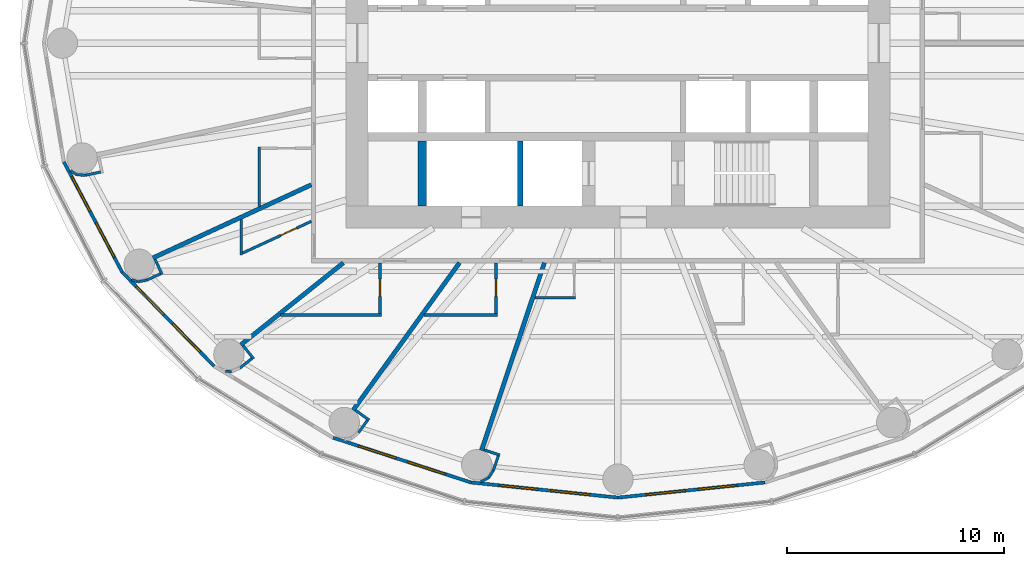
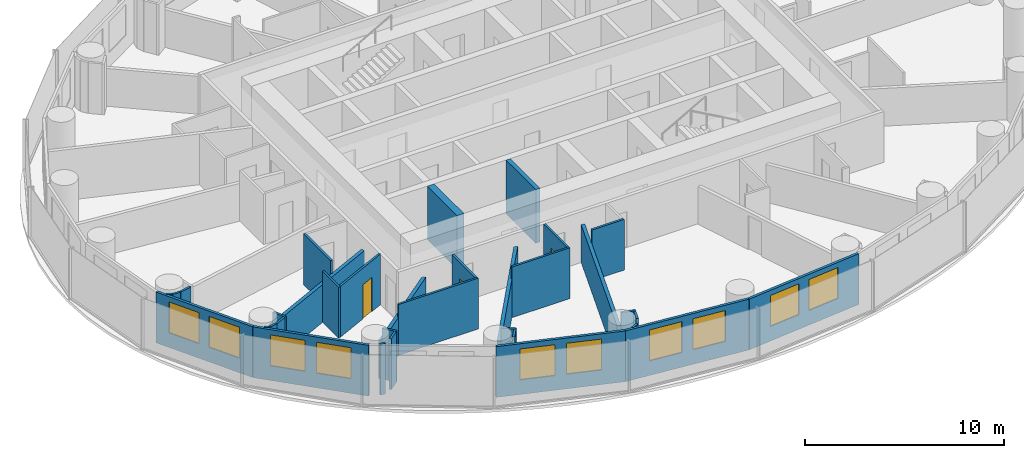
# One storey, part 6 of 13: 35 walls, 10 windows, 3 doors, 13 openings.
"""IFC4 building model written with IfcOpenShell, lengths in metres."""

from ifc_helpers import new_model, si_unit, direction, frame, frame_2d, origin, place, context, subcontext, project, spatial, rectangle, extrude, material, layer, layer_set, type_object, element, fill, save


model = new_model("IFC4")

# Units and contexts
model_context = context("Model", 3, precision=1e-05, world=origin(), true_north=direction((0.0, 1.0)))
body_context = subcontext(model_context, "Body", "Model", "MODEL_VIEW")
ifc_project = project(units=[si_unit("LENGTHUNIT", "METRE"), si_unit("AREAUNIT", "SQUARE_METRE"), si_unit("VOLUMEUNIT", "CUBIC_METRE"), si_unit("PLANEANGLEUNIT", "RADIAN"), si_unit("MASSUNIT", "GRAM", prefix="KILO")], contexts=[model_context])

# Site, building, storey
site_placement = place(None, origin())
site = spatial("IfcSite", under=ifc_project, at=site_placement, CompositionType="ELEMENT")
building_placement = place(site_placement, origin())
building = spatial("IfcBuilding", under=site, at=building_placement, Name="Hankou Lantern Tower", CompositionType="ELEMENT")
storey_placement = place(building_placement, frame((0.0, 0.0, 80.39990234375)))
storey = spatial("IfcBuildingStorey", under=building, at=storey_placement, Name="L20", CompositionType="ELEMENT", Elevation=80.39990234375)

# Wall
ifc_material_1 = material(Name="Concrete C60", Category="concrete")
ifc_layer_1 = layer(ifc_material_1, 0.39990234375)
ifc_layer_set_1 = layer_set([ifc_layer_1], Name="Concrete C60")
wall_type_1 = type_object("IfcWallType", Name="CW4 CORE CROSS WALL 400", PredefinedType="SHEAR", material=ifc_layer_set_1)
wall_1_placement = place(storey_placement, frame((-9.0, -7.5, 0.0), z_axis=(0.0, 0.0, 1.0), x_axis=(0.0, 1.0, 0.0)))
element("IfcWall", 1, at=wall_1_placement, inside=storey, type_object=wall_type_1, Name="Core strip wall L20", PredefinedType="SHEAR", context=body_context, shape_type="SweptSolid", body=[
    extrude(rectangle(XDim=3.0, YDim=0.39990234375, at=frame_2d((1.5, 0.0))), origin(), (0.0, 0.0, 1.0), 3.300048828125),
])

# Wall, openings, windows
ifc_material_2 = material(Name="Aluminium spandrel panel on steel studs", Category="steel")
ifc_layer_2 = layer(ifc_material_2, 0.14990234375)
ifc_layer_set_2 = layer_set([ifc_layer_2], Name="Aluminium spandrel panel on steel studs")
wall_type_2 = type_object("IfcWallType", Name="EW1 INNER SKIN WALL 150", PredefinedType="ELEMENTEDWALL", material=ifc_layer_set_2)
wall_2_placement = place(storey_placement, frame((-25.482421875, -5.46240234375, 0.0), z_axis=(0.0, 0.0, 1.0), x_axis=(0.467296867008, -0.884100468321, 0.0)))
wall_2 = element("IfcWall", 2, at=wall_2_placement, inside=storey, type_object=wall_type_2, Name="Inner skin R14-R15 L20", PredefinedType="ELEMENTEDWALL", context=body_context, shape_type="SweptSolid", body=[
    extrude(rectangle(XDim=5.734375, YDim=0.14990234375, at=frame_2d((2.8671875, 0.0))), origin(), (0.0, 0.0, 1.0), 3.1201171875),
])
opening_1_placement = place(wall_2_placement, frame((0.76708984375, 0.0, 0.89990234375)))
opening_1 = element("IfcOpeningElement", 3, at=opening_1_placement, cuts=wall_2, Name="Opening W1", PredefinedType="OPENING", context=body_context, shape_type="SweptSolid", body=[
    extrude(rectangle(XDim=1.800048828125, YDim=1.89990234375, at=frame_2d((0.89990234375, 0.949951171875))), frame((0.0, 0.0849609375, 0.0), z_axis=(0.0, -1.0, 0.0), x_axis=(1.0, 0.0, 0.0)), (0.0, 0.0, 1.0), 0.169921875),
])
opening_2_placement = place(wall_2_placement, frame((3.167236328125, 0.0, 0.89990234375)))
opening_2 = element("IfcOpeningElement", 4, at=opening_2_placement, cuts=wall_2, Name="Opening W1", PredefinedType="OPENING", context=body_context, shape_type="SweptSolid", body=[
    extrude(rectangle(XDim=1.800048828125, YDim=1.89990234375, at=frame_2d((0.89990234375, 0.949951171875))), frame((0.0, 0.0849609375, 0.0), z_axis=(0.0, -1.0, 0.0), x_axis=(1.0, 0.0, 0.0)), (0.0, 0.0, 1.0), 0.169921875),
])
ifc_material_3 = material(Name="Aluminium framed double glazed window", Category="aluminium")
window_type = type_object("IfcWindowType", Name="W1 GUEST ROOM WINDOW 1800X1900", PartitioningType="DOUBLE_PANEL_VERTICAL", PredefinedType="WINDOW", material=ifc_material_3)
window_1_placement = place(opening_1_placement, origin())
window_1 = element("IfcWindow", 5, at=window_1_placement, inside=storey, type_object=window_type, Name="Window R14.1 L20", OverallHeight=1.89990234375, OverallWidth=1.800048828125, PartitioningType="SINGLE_PANEL", PredefinedType="WINDOW", context=body_context, shape_type="SweptSolid", body=[
    extrude(rectangle(XDim=1.800048828125, YDim=1.89990234375, at=frame_2d((0.89990234375, 0.949951171875))), frame((0.0, 0.030029296875, 0.0), z_axis=(0.0, -1.0, 0.0), x_axis=(1.0, 0.0, 0.0)), (0.0, 0.0, 1.0), 0.06005859375),
])
fill(opening_1, window_1)
window_2_placement = place(opening_2_placement, origin())
window_2 = element("IfcWindow", 6, at=window_2_placement, inside=storey, type_object=window_type, Name="Window R14.2 L20", OverallHeight=1.89990234375, OverallWidth=1.800048828125, PartitioningType="SINGLE_PANEL", PredefinedType="WINDOW", context=body_context, shape_type="SweptSolid", body=[
    extrude(rectangle(XDim=1.800048828125, YDim=1.89990234375, at=frame_2d((0.89990234375, 0.949951171875))), frame((0.0, 0.030029296875, 0.0), z_axis=(0.0, -1.0, 0.0), x_axis=(1.0, 0.0, 0.0)), (0.0, 0.0, 1.0), 0.06005859375),
])
fill(opening_2, window_2)

wall_3_placement = place(storey_placement, frame((-22.802734375, -10.5322265625, 0.0), z_axis=(0.0, 0.0, 1.0), x_axis=(0.699602905915, -0.714531856557, 0.0)))
wall_3 = element("IfcWall", 7, at=wall_3_placement, inside=storey, type_object=wall_type_2, Name="Inner skin R15-R16 L20", PredefinedType="ELEMENTEDWALL", context=body_context, shape_type="SweptSolid", body=[
    extrude(rectangle(XDim=6.05078125, YDim=0.14990234375, at=frame_2d((3.025390625, 0.0))), origin(), (0.0, 0.0, 1.0), 3.1201171875),
])
opening_3_placement = place(wall_3_placement, frame((0.925537109375, 0.0, 0.89990234375)))
opening_3 = element("IfcOpeningElement", 8, at=opening_3_placement, cuts=wall_3, Name="Opening W1", PredefinedType="OPENING", context=body_context, shape_type="SweptSolid", body=[
    extrude(rectangle(XDim=1.800048828125, YDim=1.89990234375, at=frame_2d((0.89990234375, 0.949951171875))), frame((0.0, 0.0849609375, 0.0), z_axis=(0.0, -1.0, 0.0), x_axis=(1.0, 0.0, 0.0)), (0.0, 0.0, 1.0), 0.169921875),
])
opening_4_placement = place(wall_3_placement, frame((3.325439453125, 0.0, 0.89990234375)))
opening_4 = element("IfcOpeningElement", 9, at=opening_4_placement, cuts=wall_3, Name="Opening W1", PredefinedType="OPENING", context=body_context, shape_type="SweptSolid", body=[
    extrude(rectangle(XDim=1.800048828125, YDim=1.89990234375, at=frame_2d((0.89990234375, 0.949951171875))), frame((0.0, 0.0849609375, 0.0), z_axis=(0.0, -1.0, 0.0), x_axis=(1.0, 0.0, 0.0)), (0.0, 0.0, 1.0), 0.169921875),
])
window_3_placement = place(opening_3_placement, origin())
window_3 = element("IfcWindow", 10, at=window_3_placement, inside=storey, type_object=window_type, Name="Window R15.1 L20", OverallHeight=1.89990234375, OverallWidth=1.800048828125, PartitioningType="SINGLE_PANEL", PredefinedType="WINDOW", context=body_context, shape_type="SweptSolid", body=[
    extrude(rectangle(XDim=1.800048828125, YDim=1.89990234375, at=frame_2d((0.89990234375, 0.949951171875))), frame((0.0, 0.030029296875, 0.0), z_axis=(0.0, -1.0, 0.0), x_axis=(1.0, 0.0, 0.0)), (0.0, 0.0, 1.0), 0.06005859375),
])
fill(opening_3, window_3)
window_4_placement = place(opening_4_placement, origin())
window_4 = element("IfcWindow", 11, at=window_4_placement, inside=storey, type_object=window_type, Name="Window R15.2 L20", OverallHeight=1.89990234375, OverallWidth=1.800048828125, PartitioningType="SINGLE_PANEL", PredefinedType="WINDOW", context=body_context, shape_type="SweptSolid", body=[
    extrude(rectangle(XDim=1.800048828125, YDim=1.89990234375, at=frame_2d((0.89990234375, 0.949951171875))), frame((0.0, 0.030029296875, 0.0), z_axis=(0.0, -1.0, 0.0), x_axis=(1.0, 0.0, 0.0)), (0.0, 0.0, 1.0), 0.06005859375),
])
fill(opening_4, window_4)

wall_4_placement = place(storey_placement, frame((-13.096435546875, -18.14697265625, 0.0), z_axis=(0.0, 0.0, 1.0), x_axis=(0.951137534625, -0.308767534285, 0.0)))
wall_4 = element("IfcWall", 12, at=wall_4_placement, inside=storey, type_object=wall_type_2, Name="Inner skin R17-R18 L20", PredefinedType="ELEMENTEDWALL", context=body_context, shape_type="SweptSolid", body=[
    extrude(rectangle(XDim=6.6552734375, YDim=0.14990234375, at=frame_2d((3.32763671875, 0.0))), origin(), (0.0, 0.0, 1.0), 3.1201171875),
])
opening_5_placement = place(wall_4_placement, frame((1.2275390625, 0.0, 0.89990234375)))
opening_5 = element("IfcOpeningElement", 13, at=opening_5_placement, cuts=wall_4, Name="Opening W1", PredefinedType="OPENING", context=body_context, shape_type="SweptSolid", body=[
    extrude(rectangle(XDim=1.800048828125, YDim=1.89990234375, at=frame_2d((0.89990234375, 0.949951171875))), frame((0.0, 0.0849609375, 0.0), z_axis=(0.0, -1.0, 0.0), x_axis=(1.0, 0.0, 0.0)), (0.0, 0.0, 1.0), 0.169921875),
])
opening_6_placement = place(wall_4_placement, frame((3.627685546875, 0.0, 0.89990234375)))
opening_6 = element("IfcOpeningElement", 14, at=opening_6_placement, cuts=wall_4, Name="Opening W1", PredefinedType="OPENING", context=body_context, shape_type="SweptSolid", body=[
    extrude(rectangle(XDim=1.800048828125, YDim=1.89990234375, at=frame_2d((0.89990234375, 0.949951171875))), frame((0.0, 0.0849609375, 0.0), z_axis=(0.0, -1.0, 0.0), x_axis=(1.0, 0.0, 0.0)), (0.0, 0.0, 1.0), 0.169921875),
])
window_5_placement = place(opening_5_placement, origin())
window_5 = element("IfcWindow", 15, at=window_5_placement, inside=storey, type_object=window_type, Name="Window R17.1 L20", OverallHeight=1.89990234375, OverallWidth=1.800048828125, PartitioningType="SINGLE_PANEL", PredefinedType="WINDOW", context=body_context, shape_type="SweptSolid", body=[
    extrude(rectangle(XDim=1.800048828125, YDim=1.89990234375, at=frame_2d((0.89990234375, 0.949951171875))), frame((0.0, 0.030029296875, 0.0), z_axis=(0.0, -1.0, 0.0), x_axis=(1.0, 0.0, 0.0)), (0.0, 0.0, 1.0), 0.06005859375),
])
fill(opening_5, window_5)
window_6_placement = place(opening_6_placement, origin())
window_6 = element("IfcWindow", 16, at=window_6_placement, inside=storey, type_object=window_type, Name="Window R17.2 L20", OverallHeight=1.89990234375, OverallWidth=1.800048828125, PartitioningType="SINGLE_PANEL", PredefinedType="WINDOW", context=body_context, shape_type="SweptSolid", body=[
    extrude(rectangle(XDim=1.800048828125, YDim=1.89990234375, at=frame_2d((0.89990234375, 0.949951171875))), frame((0.0, 0.030029296875, 0.0), z_axis=(0.0, -1.0, 0.0), x_axis=(1.0, 0.0, 0.0)), (0.0, 0.0, 1.0), 0.06005859375),
])
fill(opening_6, window_6)

wall_5_placement = place(storey_placement, frame((-6.766357421875, -20.201904296875, 0.0), z_axis=(0.0, 0.0, 1.0), x_axis=(0.994721394369, -0.102612609291, 0.0)))
wall_5 = element("IfcWall", 17, at=wall_5_placement, inside=storey, type_object=wall_type_2, Name="Inner skin R18-R19 L20", PredefinedType="ELEMENTEDWALL", context=body_context, shape_type="SweptSolid", body=[
    extrude(rectangle(XDim=6.80224609375, YDim=0.14990234375, at=frame_2d((3.401123046875, 0.0))), origin(), (0.0, 0.0, 1.0), 3.1201171875),
])
opening_7_placement = place(wall_5_placement, frame((1.301025390625, 0.0, 0.89990234375)))
opening_7 = element("IfcOpeningElement", 18, at=opening_7_placement, cuts=wall_5, Name="Opening W1", PredefinedType="OPENING", context=body_context, shape_type="SweptSolid", body=[
    extrude(rectangle(XDim=1.800048828125, YDim=1.89990234375, at=frame_2d((0.89990234375, 0.949951171875))), frame((0.0, 0.0849609375, 0.0), z_axis=(0.0, -1.0, 0.0), x_axis=(1.0, 0.0, 0.0)), (0.0, 0.0, 1.0), 0.169921875),
])
opening_8_placement = place(wall_5_placement, frame((3.701171875, 0.0, 0.89990234375)))
opening_8 = element("IfcOpeningElement", 19, at=opening_8_placement, cuts=wall_5, Name="Opening W1", PredefinedType="OPENING", context=body_context, shape_type="SweptSolid", body=[
    extrude(rectangle(XDim=1.800048828125, YDim=1.89990234375, at=frame_2d((0.89990234375, 0.949951171875))), frame((0.0, 0.0849609375, 0.0), z_axis=(0.0, -1.0, 0.0), x_axis=(1.0, 0.0, 0.0)), (0.0, 0.0, 1.0), 0.169921875),
])
window_7_placement = place(opening_7_placement, origin())
window_7 = element("IfcWindow", 20, at=window_7_placement, inside=storey, type_object=window_type, Name="Window R18.1 L20", OverallHeight=1.89990234375, OverallWidth=1.800048828125, PartitioningType="SINGLE_PANEL", PredefinedType="WINDOW", context=body_context, shape_type="SweptSolid", body=[
    extrude(rectangle(XDim=1.800048828125, YDim=1.89990234375, at=frame_2d((0.89990234375, 0.949951171875))), frame((0.0, 0.030029296875, 0.0), z_axis=(0.0, -1.0, 0.0), x_axis=(1.0, 0.0, 0.0)), (0.0, 0.0, 1.0), 0.06005859375),
])
fill(opening_7, window_7)
window_8_placement = place(opening_8_placement, origin())
window_8 = element("IfcWindow", 21, at=window_8_placement, inside=storey, type_object=window_type, Name="Window R18.2 L20", OverallHeight=1.89990234375, OverallWidth=1.800048828125, PartitioningType="SINGLE_PANEL", PredefinedType="WINDOW", context=body_context, shape_type="SweptSolid", body=[
    extrude(rectangle(XDim=1.800048828125, YDim=1.89990234375, at=frame_2d((0.89990234375, 0.949951171875))), frame((0.0, 0.030029296875, 0.0), z_axis=(0.0, -1.0, 0.0), x_axis=(1.0, 0.0, 0.0)), (0.0, 0.0, 1.0), 0.06005859375),
])
fill(opening_8, window_8)

wall_6_placement = place(storey_placement, frame((0.0, -20.89990234375, 0.0), z_axis=(0.0, 0.0, 1.0), x_axis=(0.994721394369, 0.102612609291, 0.0)))
wall_6 = element("IfcWall", 22, at=wall_6_placement, inside=storey, type_object=wall_type_2, Name="Inner skin R19-R20 L20", PredefinedType="ELEMENTEDWALL", context=body_context, shape_type="SweptSolid", body=[
    extrude(rectangle(XDim=6.80224609375, YDim=0.14990234375, at=frame_2d((3.401123046875, 0.0))), origin(), (0.0, 0.0, 1.0), 3.1201171875),
])
opening_9_placement = place(wall_6_placement, frame((1.301025390625, 0.0, 0.89990234375)))
opening_9 = element("IfcOpeningElement", 23, at=opening_9_placement, cuts=wall_6, Name="Opening W1", PredefinedType="OPENING", context=body_context, shape_type="SweptSolid", body=[
    extrude(rectangle(XDim=1.800048828125, YDim=1.89990234375, at=frame_2d((0.89990234375, 0.949951171875))), frame((0.0, 0.0849609375, 0.0), z_axis=(0.0, -1.0, 0.0), x_axis=(1.0, 0.0, 0.0)), (0.0, 0.0, 1.0), 0.169921875),
])
opening_10_placement = place(wall_6_placement, frame((3.701171875, 0.0, 0.89990234375)))
opening_10 = element("IfcOpeningElement", 24, at=opening_10_placement, cuts=wall_6, Name="Opening W1", PredefinedType="OPENING", context=body_context, shape_type="SweptSolid", body=[
    extrude(rectangle(XDim=1.800048828125, YDim=1.89990234375, at=frame_2d((0.89990234375, 0.949951171875))), frame((0.0, 0.0849609375, 0.0), z_axis=(0.0, -1.0, 0.0), x_axis=(1.0, 0.0, 0.0)), (0.0, 0.0, 1.0), 0.169921875),
])
window_9_placement = place(opening_9_placement, origin())
window_9 = element("IfcWindow", 25, at=window_9_placement, inside=storey, type_object=window_type, Name="Window R19.1 L20", OverallHeight=1.89990234375, OverallWidth=1.800048828125, PartitioningType="SINGLE_PANEL", PredefinedType="WINDOW", context=body_context, shape_type="SweptSolid", body=[
    extrude(rectangle(XDim=1.800048828125, YDim=1.89990234375, at=frame_2d((0.89990234375, 0.949951171875))), frame((0.0, 0.030029296875, 0.0), z_axis=(0.0, -1.0, 0.0), x_axis=(1.0, 0.0, 0.0)), (0.0, 0.0, 1.0), 0.06005859375),
])
fill(opening_9, window_9)
window_10_placement = place(opening_10_placement, origin())
window_10 = element("IfcWindow", 26, at=window_10_placement, inside=storey, type_object=window_type, Name="Window R19.2 L20", OverallHeight=1.89990234375, OverallWidth=1.800048828125, PartitioningType="SINGLE_PANEL", PredefinedType="WINDOW", context=body_context, shape_type="SweptSolid", body=[
    extrude(rectangle(XDim=1.800048828125, YDim=1.89990234375, at=frame_2d((0.89990234375, 0.949951171875))), frame((0.0, 0.030029296875, 0.0), z_axis=(0.0, -1.0, 0.0), x_axis=(1.0, 0.0, 0.0)), (0.0, 0.0, 1.0), 0.06005859375),
])
fill(opening_10, window_10)

# Walls
ifc_material_4 = material(Name="Masonry lightweight concrete block", Category="masonry")
ifc_layer_3 = layer(ifc_material_4, 0.199951171875)
ifc_layer_set_3 = layer_set([ifc_layer_3], Name="Masonry lightweight concrete block")
wall_type_3 = type_object("IfcWallType", Name="IW1 GUEST ROOM PARTY WALL 200", PredefinedType="PARTITIONING", material=ifc_layer_set_3)
wall_7_placement = place(storey_placement, frame((-14.10009765625, -6.512451171875, 0.0), z_axis=(0.0, 0.0, 1.0), x_axis=(-0.907832871056, -0.419332181247, 0.0)))
element("IfcWall", 27, at=wall_7_placement, inside=storey, type_object=wall_type_3, Name="Party wall R15", PredefinedType="PARTITIONING", context=body_context, shape_type="SweptSolid", body=[
    extrude(rectangle(XDim=8.02294921875, YDim=0.199951171875, at=frame_2d((4.011474609375, 0.0))), origin(), (0.0, 0.0, 1.0), 2.320068359375),
])
wall_8_placement = place(storey_placement, frame((-12.625, -10.10009765625, 0.0), z_axis=(0.0, 0.0, 1.0), x_axis=(-0.780892451574, -0.624665493744, 0.0)))
element("IfcWall", 28, at=wall_8_placement, inside=storey, type_object=wall_type_3, Name="Party wall R16", PredefinedType="PARTITIONING", context=body_context, shape_type="SweptSolid", body=[
    extrude(rectangle(XDim=6.044677734375, YDim=0.199951171875, at=frame_2d((3.0224609375, 0.0))), origin(), (0.0, 0.0, 1.0), 2.320068359375),
])
wall_9_placement = place(storey_placement, frame((-7.2890625, -10.10009765625, 0.0), z_axis=(0.0, 0.0, 1.0), x_axis=(-0.585198353053, -0.810890182197, 0.0)))
element("IfcWall", 29, at=wall_9_placement, inside=storey, type_object=wall_type_3, Name="Party wall R17", PredefinedType="PARTITIONING", context=body_context, shape_type="SweptSolid", body=[
    extrude(rectangle(XDim=8.359619140625, YDim=0.199951171875, at=frame_2d((4.1796875, 0.0))), origin(), (0.0, 0.0, 1.0), 2.320068359375),
])
wall_10_placement = place(storey_placement, frame((-3.3828125, -10.10009765625, 0.0), z_axis=(0.0, 0.0, 1.0), x_axis=(-0.31759592231, -0.948226149256, 0.0)))
element("IfcWall", 30, at=wall_10_placement, inside=storey, type_object=wall_type_3, Name="Party wall R18", PredefinedType="PARTITIONING", context=body_context, shape_type="SweptSolid", body=[
    extrude(rectangle(XDim=9.098388671875, YDim=0.199951171875, at=frame_2d((4.54931640625, 0.0))), origin(), (0.0, 0.0, 1.0), 2.320068359375),
])
ifc_material_5 = material(Name="Masonry lightweight concrete block", Category="masonry")
ifc_layer_4 = layer(ifc_material_5, 0.1201171875)
ifc_layer_set_4 = layer_set([ifc_layer_4], Name="Masonry lightweight concrete block")
wall_type_4 = type_object("IfcWallType", Name="IW3 BATHROOM WALL 120", PredefinedType="PARTITIONING", material=ifc_layer_set_4)
wall_11_placement = place(storey_placement, frame((-16.5, -7.52099609375, 0.0), z_axis=(0.0, 0.0, 1.0), x_axis=(0.0, 1.0, 0.0)))
element("IfcWall", 31, at=wall_11_placement, inside=storey, type_object=wall_type_4, Name="Box wall 2003 1", PredefinedType="PARTITIONING", context=body_context, shape_type="SweptSolid", body=[
    extrude(rectangle(XDim=2.74853515625, YDim=0.1201171875, at=frame_2d((1.374267578125, 0.0))), origin(), (0.0, 0.0, 1.0), 3.1201171875),
])
wall_12_placement = place(storey_placement, frame((-17.32275390625, -8.10107421875, 0.0), z_axis=(0.0, 0.0, 1.0), x_axis=(0.0, -1.0, 0.0)))
element("IfcWall", 32, at=wall_12_placement, inside=storey, type_object=wall_type_4, Name="Box wall 2004 1", PredefinedType="PARTITIONING", context=body_context, shape_type="SweptSolid", body=[
    extrude(rectangle(XDim=1.639892578125, YDim=0.1201171875, at=frame_2d((0.81982421875, 0.0))), origin(), (0.0, 0.0, 1.0), 3.1201171875),
])

# Wall, opening, door
wall_13_placement = place(storey_placement, frame((-14.10009765625, -8.192626953125, 0.0), z_axis=(0.0, 0.0, 1.0), x_axis=(-0.907836493557, -0.419324338628, 0.0)))
wall_13 = element("IfcWall", 33, at=wall_13_placement, inside=storey, type_object=wall_type_4, Name="Box wall 2004 1", PredefinedType="PARTITIONING", context=body_context, shape_type="SweptSolid", body=[
    extrude(rectangle(XDim=3.48974609375, YDim=0.1201171875, at=frame_2d((1.744873046875, 0.0))), origin(), (0.0, 0.0, 1.0), 3.1201171875),
])
opening_11_placement = place(wall_13_placement, frame((0.75, 0.0, 0.0)))
opening_11 = element("IfcOpeningElement", 34, at=opening_11_placement, cuts=wall_13, Name="Opening D3", PredefinedType="OPENING", context=body_context, shape_type="SweptSolid", body=[
    extrude(rectangle(XDim=0.800048828125, YDim=2.10009765625, at=frame_2d((0.39990234375, 1.050048828125))), frame((0.0, 0.070068359375, 0.0), z_axis=(0.0, -1.0, 0.0), x_axis=(1.0, 0.0, 0.0)), (0.0, 0.0, 1.0), 0.14013671875),
])
ifc_material_6 = material(Name="Timber door leaf", Category="wood")
door_type = type_object("IfcDoorType", Name="D3 BATHROOM DOOR 800X2100", OperationType="SINGLE_SWING_LEFT", PredefinedType="DOOR", material=ifc_material_6)
door_1_placement = place(opening_11_placement, origin())
door_1 = element("IfcDoor", 35, at=door_1_placement, inside=storey, type_object=door_type, Name="En-suite bathroom 2004 door", OperationType="SINGLE_SWING_LEFT", OverallHeight=2.10009765625, OverallWidth=0.800048828125, PredefinedType="DOOR", context=body_context, shape_type="SweptSolid", body=[
    extrude(rectangle(XDim=0.800048828125, YDim=2.10009765625, at=frame_2d((0.39990234375, 1.050048828125))), frame((0.0, 0.02490234375, 0.0), z_axis=(0.0, -1.0, 0.0), x_axis=(1.0, 0.0, 0.0)), (0.0, 0.0, 1.0), 0.050048828125),
])
fill(opening_11, door_1)

# Wall
wall_14_placement = place(storey_placement, frame((-15.52490234375, -12.5, 0.0), z_axis=(0.0, 0.0, 1.0), x_axis=(1.0, 0.0, 0.0)))
element("IfcWall", 36, at=wall_14_placement, inside=storey, type_object=wall_type_4, Name="Box wall 2005 1", PredefinedType="PARTITIONING", context=body_context, shape_type="SweptSolid", body=[
    extrude(rectangle(XDim=4.639892578125, YDim=0.1201171875, at=frame_2d((2.31982421875, 0.0))), origin(), (0.0, 0.0, 1.0), 3.1201171875),
])

# Wall, opening, door
wall_15_placement = place(storey_placement, frame((-10.945068359375, -10.10009765625, 0.0), z_axis=(0.0, 0.0, 1.0), x_axis=(0.0, -1.0, 0.0)))
wall_15 = element("IfcWall", 37, at=wall_15_placement, inside=storey, type_object=wall_type_4, Name="Box wall 2005 1", PredefinedType="PARTITIONING", context=body_context, shape_type="SweptSolid", body=[
    extrude(rectangle(XDim=2.33984375, YDim=0.1201171875, at=frame_2d((1.169921875, 0.0))), origin(), (0.0, 0.0, 1.0), 3.1201171875),
])
opening_12_placement = place(wall_15_placement, frame((0.75, 0.0, 0.0)))
opening_12 = element("IfcOpeningElement", 38, at=opening_12_placement, cuts=wall_15, Name="Opening D3", PredefinedType="OPENING", context=body_context, shape_type="SweptSolid", body=[
    extrude(rectangle(XDim=0.800048828125, YDim=2.10009765625, at=frame_2d((0.39990234375, 1.050048828125))), frame((0.0, 0.070068359375, 0.0), z_axis=(0.0, -1.0, 0.0), x_axis=(1.0, 0.0, 0.0)), (0.0, 0.0, 1.0), 0.14013671875),
])
door_2_placement = place(opening_12_placement, origin())
door_2 = element("IfcDoor", 39, at=door_2_placement, inside=storey, type_object=door_type, Name="En-suite bathroom 2005 door", OperationType="SINGLE_SWING_LEFT", OverallHeight=2.10009765625, OverallWidth=0.800048828125, PredefinedType="DOOR", context=body_context, shape_type="SweptSolid", body=[
    extrude(rectangle(XDim=0.800048828125, YDim=2.10009765625, at=frame_2d((0.39990234375, 1.050048828125))), frame((0.0, 0.02490234375, 0.0), z_axis=(0.0, -1.0, 0.0), x_axis=(1.0, 0.0, 0.0)), (0.0, 0.0, 1.0), 0.050048828125),
])
fill(opening_12, door_2)

# Wall
wall_16_placement = place(storey_placement, frame((-8.921142578125, -12.5, 0.0), z_axis=(0.0, 0.0, 1.0), x_axis=(1.0, 0.0, 0.0)))
element("IfcWall", 40, at=wall_16_placement, inside=storey, type_object=wall_type_4, Name="Box wall 2006 1", PredefinedType="PARTITIONING", context=body_context, shape_type="SweptSolid", body=[
    extrude(rectangle(XDim=3.3720703125, YDim=0.1201171875, at=frame_2d((1.68603515625, 0.0))), origin(), (0.0, 0.0, 1.0), 3.1201171875),
])

# Wall, opening, door
wall_17_placement = place(storey_placement, frame((-5.609130859375, -10.10009765625, 0.0), z_axis=(0.0, 0.0, 1.0), x_axis=(0.0, -1.0, 0.0)))
wall_17 = element("IfcWall", 41, at=wall_17_placement, inside=storey, type_object=wall_type_4, Name="Box wall 2006 1", PredefinedType="PARTITIONING", context=body_context, shape_type="SweptSolid", body=[
    extrude(rectangle(XDim=2.33984375, YDim=0.1201171875, at=frame_2d((1.169921875, 0.0))), origin(), (0.0, 0.0, 1.0), 3.1201171875),
])
opening_13_placement = place(wall_17_placement, frame((0.75, 0.0, 0.0)))
opening_13 = element("IfcOpeningElement", 42, at=opening_13_placement, cuts=wall_17, Name="Opening D3", PredefinedType="OPENING", context=body_context, shape_type="SweptSolid", body=[
    extrude(rectangle(XDim=0.800048828125, YDim=2.10009765625, at=frame_2d((0.39990234375, 1.050048828125))), frame((0.0, 0.070068359375, 0.0), z_axis=(0.0, -1.0, 0.0), x_axis=(1.0, 0.0, 0.0)), (0.0, 0.0, 1.0), 0.14013671875),
])
door_3_placement = place(opening_13_placement, origin())
door_3 = element("IfcDoor", 43, at=door_3_placement, inside=storey, type_object=door_type, Name="En-suite bathroom 2006 door", OperationType="SINGLE_SWING_LEFT", OverallHeight=2.10009765625, OverallWidth=0.800048828125, PredefinedType="DOOR", context=body_context, shape_type="SweptSolid", body=[
    extrude(rectangle(XDim=0.800048828125, YDim=2.10009765625, at=frame_2d((0.39990234375, 1.050048828125))), frame((0.0, 0.02490234375, 0.0), z_axis=(0.0, -1.0, 0.0), x_axis=(1.0, 0.0, 0.0)), (0.0, 0.0, 1.0), 0.050048828125),
])
fill(opening_13, door_3)

# Walls
wall_18_placement = place(storey_placement, frame((-3.81884765625, -11.699951171875, 0.0), z_axis=(0.0, 0.0, 1.0), x_axis=(1.0, 0.0, 0.0)))
element("IfcWall", 44, at=wall_18_placement, inside=storey, type_object=wall_type_4, Name="Box wall 2007C 1", PredefinedType="PARTITIONING", context=body_context, shape_type="SweptSolid", body=[
    extrude(rectangle(XDim=1.8759765625, YDim=0.1201171875, at=frame_2d((0.93798828125, 0.0))), origin(), (0.0, 0.0, 1.0), 3.1201171875),
])
ifc_material_7 = material(Name="Masonry lightweight concrete block", Category="masonry")
ifc_layer_5 = layer(ifc_material_7, 0.1201171875)
ifc_layer_set_5 = layer_set([ifc_layer_5], Name="Masonry lightweight concrete block")
wall_type_5 = type_object("IfcWallType", Name="IW4 PARTITION 120", PredefinedType="PARTITIONING", material=ifc_layer_set_5)
wall_19_placement = place(storey_placement, frame((-23.793212890625, -5.92626953125, 0.0), z_axis=(0.0, 0.0, 1.0), x_axis=(-0.977792206673, -0.209576717621, 0.0)))
element("IfcWall", 45, at=wall_19_placement, inside=storey, type_object=wall_type_5, Name="Column casing R14", PredefinedType="PARTITIONING", context=body_context, shape_type="SweptSolid", body=[
    extrude(rectangle(XDim=0.7001953125, YDim=0.1201171875, at=frame_2d((0.35009765625, 0.0))), origin(), (0.0, 0.0, 1.0), 3.1201171875),
])
wall_20_placement = place(storey_placement, frame((-24.477783203125, -6.072998046875, 0.0), z_axis=(0.0, 0.0, 1.0), x_axis=(-0.998708262812, 0.05081147302, 0.0)))
element("IfcWall", 46, at=wall_20_placement, inside=storey, type_object=wall_type_5, Name="Column casing R14", PredefinedType="PARTITIONING", context=body_context, shape_type="SweptSolid", body=[
    extrude(rectangle(XDim=0.41796875, YDim=0.1201171875, at=frame_2d((0.208984375, 0.0))), origin(), (0.0, 0.0, 1.0), 3.1201171875),
])
wall_21_placement = place(storey_placement, frame((-24.895263671875, -6.0517578125, 0.0), z_axis=(0.0, 0.0, 1.0), x_axis=(-0.839495197275, 0.54336710772, 0.0)))
element("IfcWall", 47, at=wall_21_placement, inside=storey, type_object=wall_type_5, Name="Column casing R14", PredefinedType="PARTITIONING", context=body_context, shape_type="SweptSolid", body=[
    extrude(rectangle(XDim=0.349609375, YDim=0.1201171875, at=frame_2d((0.1748046875, 0.0))), origin(), (0.0, 0.0, 1.0), 3.1201171875),
])
wall_22_placement = place(storey_placement, frame((-21.287109375, -9.9423828125, 0.0), z_axis=(0.0, 0.0, 1.0), x_axis=(0.419259891039, -0.907866258744, 0.0)))
element("IfcWall", 48, at=wall_22_placement, inside=storey, type_object=wall_type_5, Name="Column casing R15 return", PredefinedType="PARTITIONING", context=body_context, shape_type="SweptSolid", body=[
    extrude(rectangle(XDim=0.767578125, YDim=0.1201171875, at=frame_2d((0.3837890625, 0.0))), origin(), (0.0, 0.0, 1.0), 3.1201171875),
])
wall_23_placement = place(storey_placement, frame((-21.044921875, -10.60986328125, 0.0), z_axis=(0.0, 0.0, 1.0), x_axis=(-0.907877701396, -0.419235112208, 0.0)))
element("IfcWall", 49, at=wall_23_placement, inside=storey, type_object=wall_type_5, Name="Column casing R15", PredefinedType="PARTITIONING", context=body_context, shape_type="SweptSolid", body=[
    extrude(rectangle(XDim=0.699951171875, YDim=0.1201171875, at=frame_2d((0.35009765625, 0.0))), origin(), (0.0, 0.0, 1.0), 3.1201171875),
])
wall_24_placement = place(storey_placement, frame((-21.680419921875, -10.9033203125, 0.0), z_axis=(0.0, 0.0, 1.0), x_axis=(-0.985446622073, -0.169985161247, 0.0)))
element("IfcWall", 50, at=wall_24_placement, inside=storey, type_object=wall_type_5, Name="Column casing R15", PredefinedType="PARTITIONING", context=body_context, shape_type="SweptSolid", body=[
    extrude(rectangle(XDim=0.41796875, YDim=0.1201171875, at=frame_2d((0.208984375, 0.0))), origin(), (0.0, 0.0, 1.0), 3.1201171875),
])
wall_25_placement = place(storey_placement, frame((-22.09228515625, -10.974365234375, 0.0), z_axis=(0.0, 0.0, 1.0), x_axis=(-0.938428160676, 0.345474437912, 0.0)))
element("IfcWall", 51, at=wall_25_placement, inside=storey, type_object=wall_type_5, Name="Column casing R15", PredefinedType="PARTITIONING", context=body_context, shape_type="SweptSolid", body=[
    extrude(rectangle(XDim=0.2939453125, YDim=0.1201171875, at=frame_2d((0.14697265625, 0.0))), origin(), (0.0, 0.0, 1.0), 3.1201171875),
])
wall_26_placement = place(storey_placement, frame((-17.23583984375, -13.916748046875, 0.0), z_axis=(0.0, 0.0, 1.0), x_axis=(0.624695047554, -0.780868809443, 0.0)))
element("IfcWall", 52, at=wall_26_placement, inside=storey, type_object=wall_type_5, Name="Column casing R16 return", PredefinedType="PARTITIONING", context=body_context, shape_type="SweptSolid", body=[
    extrude(rectangle(XDim=0.767578125, YDim=0.1201171875, at=frame_2d((0.3837890625, 0.0))), origin(), (0.0, 0.0, 1.0), 3.1201171875),
])
wall_27_placement = place(storey_placement, frame((-16.840576171875, -14.506591796875, 0.0), z_axis=(0.0, 0.0, 1.0), x_axis=(-0.780902834923, -0.62465251333, 0.0)))
element("IfcWall", 53, at=wall_27_placement, inside=storey, type_object=wall_type_5, Name="Column casing R16", PredefinedType="PARTITIONING", context=body_context, shape_type="SweptSolid", body=[
    extrude(rectangle(XDim=0.699951171875, YDim=0.1201171875, at=frame_2d((0.35009765625, 0.0))), origin(), (0.0, 0.0, 1.0), 3.1201171875),
])
wall_28_placement = place(storey_placement, frame((-17.770263671875, -15.111572265625, 0.0), z_axis=(0.0, 0.0, 1.0), x_axis=(-0.993904401174, 0.110245368731, 0.0)))
element("IfcWall", 54, at=wall_28_placement, inside=storey, type_object=wall_type_5, Name="Column casing R16", PredefinedType="PARTITIONING", context=body_context, shape_type="SweptSolid", body=[
    extrude(rectangle(XDim=0.287841796875, YDim=0.1201171875, at=frame_2d((0.14404296875, 0.0))), origin(), (0.0, 0.0, 1.0), 3.1201171875),
])
wall_29_placement = place(storey_placement, frame((-12.06494140625, -16.888671875, 0.0), z_axis=(0.0, 0.0, 1.0), x_axis=(0.810821798253, -0.585293098778, 0.0)))
element("IfcWall", 55, at=wall_29_placement, inside=storey, type_object=wall_type_5, Name="Column casing R17 return", PredefinedType="PARTITIONING", context=body_context, shape_type="SweptSolid", body=[
    extrude(rectangle(XDim=0.767578125, YDim=0.1201171875, at=frame_2d((0.3837890625, 0.0))), origin(), (0.0, 0.0, 1.0), 3.1201171875),
])
wall_30_placement = place(storey_placement, frame((-11.5263671875, -17.351318359375, 0.0), z_axis=(0.0, 0.0, 1.0), x_axis=(-0.585223113993, -0.810872312296, 0.0)))
element("IfcWall", 56, at=wall_30_placement, inside=storey, type_object=wall_type_5, Name="Column casing R17", PredefinedType="PARTITIONING", context=body_context, shape_type="SweptSolid", body=[
    extrude(rectangle(XDim=0.699951171875, YDim=0.1201171875, at=frame_2d((0.35009765625, 0.0))), origin(), (0.0, 0.0, 1.0), 3.1201171875),
])
wall_31_placement = place(storey_placement, frame((-6.15869140625, -18.702392578125, 0.0), z_axis=(0.0, 0.0, 1.0), x_axis=(0.948173154049, -0.31775410295, 0.0)))
element("IfcWall", 57, at=wall_31_placement, inside=storey, type_object=wall_type_5, Name="Column casing R18 return", PredefinedType="PARTITIONING", context=body_context, shape_type="SweptSolid", body=[
    extrude(rectangle(XDim=0.767578125, YDim=0.1201171875, at=frame_2d((0.3837890625, 0.0))), origin(), (0.0, 0.0, 1.0), 3.1201171875),
])
wall_32_placement = place(storey_placement, frame((-5.5068359375, -18.984130859375, 0.0), z_axis=(0.0, 0.0, 1.0), x_axis=(-0.317692050622, -0.948193946918, 0.0)))
element("IfcWall", 58, at=wall_32_placement, inside=storey, type_object=wall_type_5, Name="Column casing R18", PredefinedType="PARTITIONING", context=body_context, shape_type="SweptSolid", body=[
    extrude(rectangle(XDim=0.7001953125, YDim=0.1201171875, at=frame_2d((0.35009765625, 0.0))), origin(), (0.0, 0.0, 1.0), 3.1201171875),
])
wall_33_placement = place(storey_placement, frame((-5.729248046875, -19.64794921875, 0.0), z_axis=(0.0, 0.0, 1.0), x_axis=(-0.552135764955, -0.833754218615, 0.0)))
element("IfcWall", 59, at=wall_33_placement, inside=storey, type_object=wall_type_5, Name="Column casing R18", PredefinedType="PARTITIONING", context=body_context, shape_type="SweptSolid", body=[
    extrude(rectangle(XDim=0.41796875, YDim=0.1201171875, at=frame_2d((0.208984375, 0.0))), origin(), (0.0, 0.0, 1.0), 3.1201171875),
])
wall_34_placement = place(storey_placement, frame((-5.9599609375, -19.996337890625, 0.0), z_axis=(0.0, 0.0, 1.0), x_axis=(-0.895160725913, -0.445743507842, 0.0)))
element("IfcWall", 60, at=wall_34_placement, inside=storey, type_object=wall_type_5, Name="Column casing R18", PredefinedType="PARTITIONING", context=body_context, shape_type="SweptSolid", body=[
    extrude(rectangle(XDim=0.398681640625, YDim=0.1201171875, at=frame_2d((0.19921875, 0.0))), origin(), (0.0, 0.0, 1.0), 3.1201171875),
])
ifc_material_8 = material(Name="Masonry autoclaved aerated concrete block", Category="masonry")
ifc_layer_6 = layer(ifc_material_8, 0.25)
ifc_layer_set_6 = layer_set([ifc_layer_6], Name="Masonry autoclaved aerated concrete block")
wall_type_6 = type_object("IfcWallType", Name="SW1 SHAFT BLOCK WALL 250", PredefinedType="PARTITIONING", material=ifc_layer_set_6)
wall_35_placement = place(storey_placement, frame((-4.5, -7.5, 0.0), z_axis=(0.0, 0.0, 1.0), x_axis=(0.0, 1.0, 0.0)))
element("IfcWall", 61, at=wall_35_placement, inside=storey, type_object=wall_type_6, Name="Riser wall L20", PredefinedType="PARTITIONING", context=body_context, shape_type="SweptSolid", body=[
    extrude(rectangle(XDim=3.0, YDim=0.25, at=frame_2d((1.5, 0.0))), origin(), (0.0, 0.0, 1.0), 3.300048828125),
])

save(model, "model.ifc")
